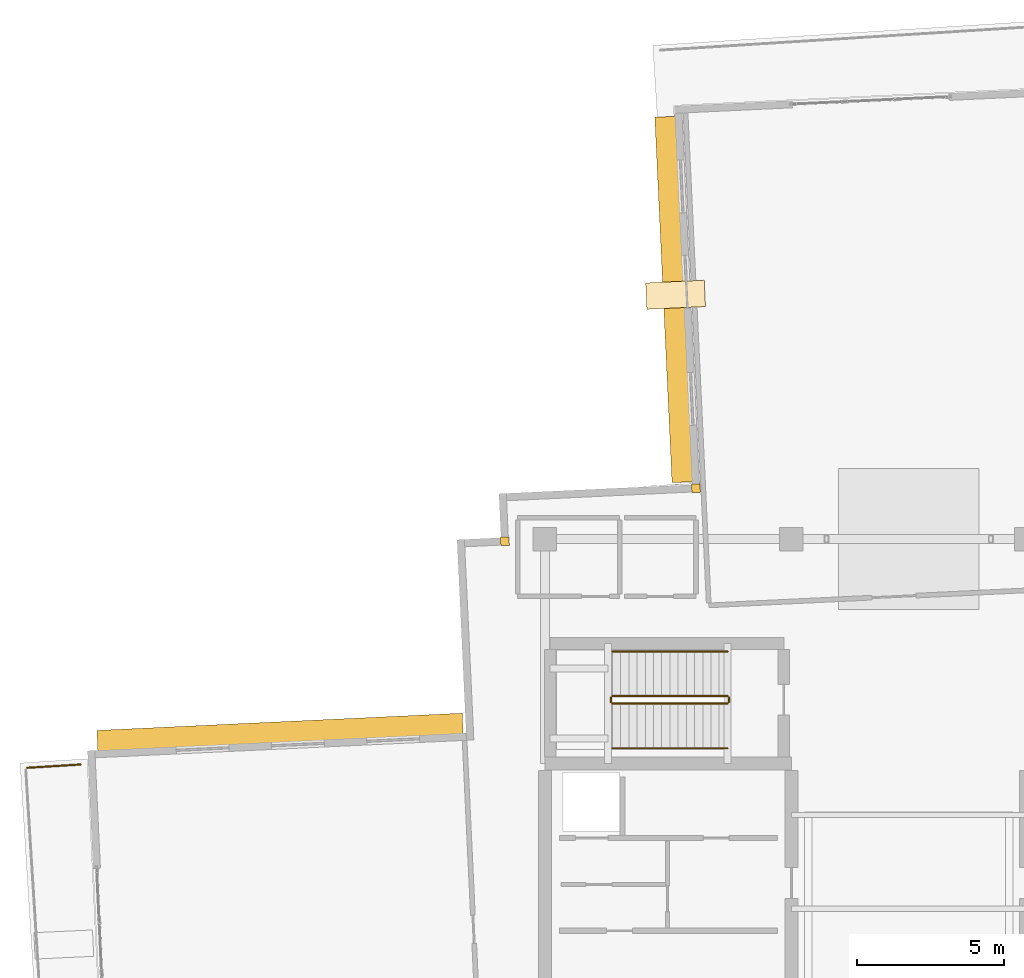
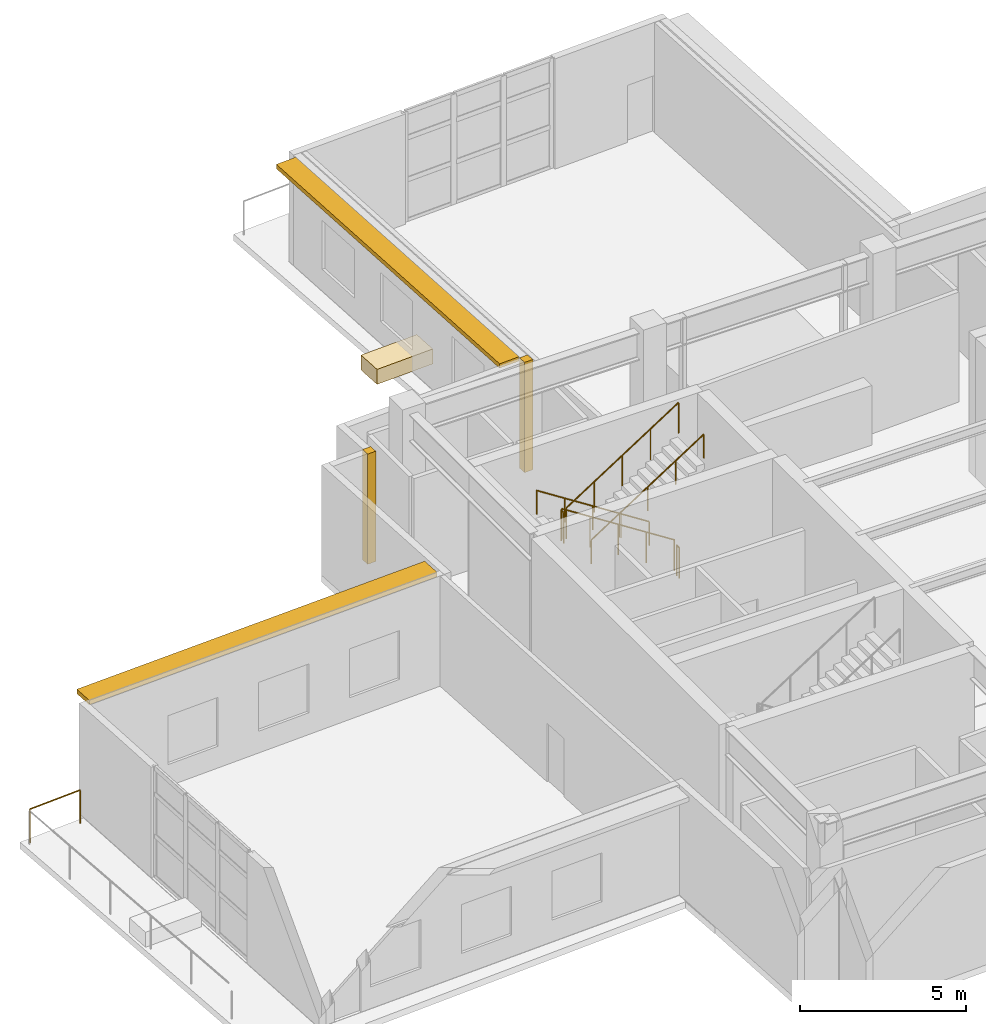
# One storey, part 20 of 22: 7 railings, 3 coverings, 2 shading devices.
"""IFC4 building model written with IfcOpenShell, lengths in metres."""

from ifc_helpers import new_model, si_unit, direction, frame, origin, origin_2d, place, context, subcontext, project, spatial, rectangle, circle, extrude, material, layer, layer_set, type_object, element, save


model = new_model("IFC4")

# Units and contexts
model_context = context("Model", 3, precision=1e-05, world=origin(), true_north=direction((0.0, 1.0)))
body_context = subcontext(model_context, "Body", "Model", "MODEL_VIEW")
ifc_project = project(units=[si_unit("LENGTHUNIT", "METRE"), si_unit("AREAUNIT", "SQUARE_METRE"), si_unit("VOLUMEUNIT", "CUBIC_METRE"), si_unit("PLANEANGLEUNIT", "RADIAN"), si_unit("MASSUNIT", "GRAM", prefix="KILO")], contexts=[model_context])

# Site, building, storey
site_placement = place(None, origin())
site = spatial("IfcSite", under=ifc_project, at=site_placement, CompositionType="ELEMENT")
building_placement = place(site_placement, origin())
building = spatial("IfcBuilding", under=site, at=building_placement, Name="Qingluan Cross Belvedere", CompositionType="ELEMENT")
storey_placement = place(building_placement, frame((0.0, 0.0, 294.0)))
storey = spatial("IfcBuildingStorey", under=building, at=storey_placement, Name="L73", CompositionType="ELEMENT", Elevation=294.0)

# Coverings
ifc_material_1 = material(Name="Precast concrete C45", Category="concrete")
ifc_layer_1 = layer(ifc_material_1, 0.1201171875, Name="ConcreteSpandrelCladding_120")
ifc_layer_set_1 = layer_set([ifc_layer_1], Name="Precast concrete C45")
covering_type_1 = type_object("IfcCoveringType", Name="ConcreteSpandrelCladding_120", PredefinedType="CLADDING", material=ifc_layer_set_1)
for number, where, z_axis, x_axis, name in (
    (1, (-13.765380859375, 12.525390625, 0.0), (0.0, 0.0, 1.0), (0.998889874962, 0.04710645071, 0.0), "Corner closure L73-NW1"),
    (2, (-7.25341796875, 14.334228515625, 0.0), (0.0, 0.0, 1.0), (0.998889874962, 0.04710645071, 0.0), "Corner closure L73-NW2"),
):
    element("IfcCovering", number, at=place(storey_placement, frame(where, z_axis=z_axis, x_axis=x_axis)), inside=storey, type_object=covering_type_1, Name=name, PredefinedType="CLADDING", context=body_context, shape_type="SweptSolid", body=[
        extrude(rectangle(XDim=0.2900390625, YDim=0.2900390625, at=origin_2d()), origin(), (0.0, 0.0, 1.0), 4.06005859375),
    ])

# Shading devices
ifc_material_2 = material(Name="Precast concrete C45", Category="concrete")
ifc_layer_2 = layer(ifc_material_2, 0.139892578125, Name="ConcreteSunshadeBand_700")
ifc_layer_set_2 = layer_set([ifc_layer_2], Name="Precast concrete C45")
shading_device_type = type_object("IfcShadingDeviceType", Name="ConcreteSunshadeBand_700", PredefinedType="USERDEFINED", material=ifc_layer_set_2)
for number, where, z_axis, x_axis, name in (
    (3, (-8.01220703125, 20.765625, 3.8798828125), (0.0, 0.0, 1.0), (0.047103529552, -0.998890012716, 0.0), "Concrete SUNSHADE L73-NB"),
    (4, (-21.427490234375, 6.022216796875, 3.8798828125), (0.0, 0.0, 1.0), (-0.998890012716, -0.047103529552, 0.0), "Concrete SUNSHADE L73-WA"),
):
    element("IfcShadingDevice", number, at=place(storey_placement, frame(where, z_axis=z_axis, x_axis=x_axis)), inside=storey, type_object=shading_device_type, Name=name, ObjectType="SUNSHADE", PredefinedType="USERDEFINED", context=body_context, shape_type="SweptSolid", body=[
        extrude(rectangle(XDim=12.469970703125, YDim=0.699951171875, at=origin_2d()), origin(), (0.0, 0.0, 1.0), 0.159912109375),
    ])

# Railings
ifc_material_3 = material(Name="Laminated safety glass and stainless steel balustrade", Category="steel")
railing_type_1 = type_object("IfcRailingType", Name="ObservationGuardBalustrade_1250", PredefinedType="BALUSTRADE", material=ifc_material_3)
railing_1_placement = place(storey_placement, frame((-30.041015625, 4.80322265625, 0.0)))
element("IfcRailing", 5, at=railing_1_placement, inside=storey, type_object=railing_type_1, Name="Terrace guard L73-2", PredefinedType="BALUSTRADE", context=body_context, shape_type="SweptSolid", body=[
    extrude(circle(Radius=0.02392578125, at=origin_2d()), frame((0.0, 0.0, 1.22607421875), z_axis=(0.998028978174, 0.062754750614, 0.0), x_axis=(-0.062754750614, 0.998028978174, 0.0)), (0.0, 0.0, 1.0), 1.81689453125),
    extrude(circle(Radius=0.02099609375, at=origin_2d()), origin(), (0.0, 0.0, 1.0), 1.201904296875),
    extrude(circle(Radius=0.02099609375, at=origin_2d()), frame((1.813232421875, 0.114013671875, 0.0)), (0.0, 0.0, 1.0), 1.201904296875),
])
ifc_material_4 = material(Name="Brushed stainless steel tubular handrail", Category="steel")
railing_type_2 = type_object("IfcRailingType", Name="StairPitchHandrail_900", PredefinedType="HANDRAIL", material=ifc_material_4)
railing_2_placement = place(storey_placement, frame((-6.179931640625, 8.77001953125, 0.179931640625)))
element("IfcRailing", 6, at=railing_2_placement, inside=storey, type_object=railing_type_2, Name="L73 ST3 stair handrail 1", PredefinedType="HANDRAIL", context=body_context, shape_type="SweptSolid", body=[
    extrude(circle(Radius=0.02392578125, at=origin_2d()), frame((0.0, 0.0, 0.8759765625), z_axis=(-0.841186985886, 0.0, 0.540744352514), x_axis=(0.0, -1.0, 0.0)), (0.0, 0.0, 1.0), 4.660400390625),
    extrude(circle(Radius=0.02099609375, at=origin_2d()), origin(), (0.0, 0.0, 1.0), 0.851806640625),
    extrude(circle(Radius=0.02099609375, at=origin_2d()), frame((-0.97998046875, 0.0, 0.6298828125)), (0.0, 0.0, 1.0), 0.851806640625),
    extrude(circle(Radius=0.02099609375, at=origin_2d()), frame((-1.9599609375, 0.0, 1.260009765625)), (0.0, 0.0, 1.0), 0.851806640625),
    extrude(circle(Radius=0.02099609375, at=origin_2d()), frame((-2.940185546875, 0.0, 1.89013671875)), (0.0, 0.0, 1.0), 0.851806640625),
    extrude(circle(Radius=0.02099609375, at=origin_2d()), frame((-3.920166015625, 0.0, 2.52001953125)), (0.0, 0.0, 1.0), 0.851806640625),
])
railing_3_placement = place(storey_placement, frame((-10.10009765625, 5.469970703125, 2.8798828125)))
element("IfcRailing", 7, at=railing_3_placement, inside=storey, type_object=railing_type_2, Name="L73 ST3 stair handrail 2", PredefinedType="HANDRAIL", context=body_context, shape_type="SweptSolid", body=[
    extrude(circle(Radius=0.02392578125, at=origin_2d()), frame((0.0, 0.0, 0.8759765625), z_axis=(0.841186985886, 0.0, 0.540744352514), x_axis=(0.0, 1.0, 0.0)), (0.0, 0.0, 1.0), 4.660400390625),
    extrude(circle(Radius=0.02099609375, at=origin_2d()), origin(), (0.0, 0.0, 1.0), 0.851806640625),
    extrude(circle(Radius=0.02099609375, at=origin_2d()), frame((0.97998046875, 0.0, 0.6298828125)), (0.0, 0.0, 1.0), 0.851806640625),
    extrude(circle(Radius=0.02099609375, at=origin_2d()), frame((1.9599609375, 0.0, 1.260009765625)), (0.0, 0.0, 1.0), 0.851806640625),
    extrude(circle(Radius=0.02099609375, at=origin_2d()), frame((2.940185546875, 0.0, 1.89013671875)), (0.0, 0.0, 1.0), 0.851806640625),
    extrude(circle(Radius=0.02099609375, at=origin_2d()), frame((3.920166015625, 0.0, 2.52001953125)), (0.0, 0.0, 1.0), 0.851806640625),
])
ifc_material_5 = material(Name="Painted steel stair well guard", Category="steel")
railing_type_3 = type_object("IfcRailingType", Name="StairWellGuard_1150", PredefinedType="BALUSTRADE", material=ifc_material_5)
railing_4_placement = place(storey_placement, frame((-6.179931640625, 7.25, 0.179931640625)))
element("IfcRailing", 8, at=railing_4_placement, inside=storey, type_object=railing_type_3, Name="L73 ST3 stair guard 1", PredefinedType="BALUSTRADE", context=body_context, shape_type="SweptSolid", body=[
    extrude(circle(Radius=0.02392578125, at=origin_2d()), frame((0.0, 0.0, 1.1259765625), z_axis=(-0.841186985886, 0.0, 0.540744352514), x_axis=(0.0, -1.0, 0.0)), (0.0, 0.0, 1.0), 4.660400390625),
    extrude(circle(Radius=0.02099609375, at=origin_2d()), origin(), (0.0, 0.0, 1.0), 1.101806640625),
    extrude(circle(Radius=0.02099609375, at=origin_2d()), frame((-0.97998046875, 0.0, 0.6298828125)), (0.0, 0.0, 1.0), 1.101806640625),
    extrude(circle(Radius=0.02099609375, at=origin_2d()), frame((-1.9599609375, 0.0, 1.260009765625)), (0.0, 0.0, 1.0), 1.101806640625),
    extrude(circle(Radius=0.02099609375, at=origin_2d()), frame((-2.940185546875, 0.0, 1.89013671875)), (0.0, 0.0, 1.0), 1.101806640625),
    extrude(circle(Radius=0.02099609375, at=origin_2d()), frame((-3.920166015625, 0.0, 2.52001953125)), (0.0, 0.0, 1.0), 1.101806640625),
])
railing_5_placement = place(storey_placement, frame((-10.14990234375, 7.199951171875, 2.699951171875)))
element("IfcRailing", 9, at=railing_5_placement, inside=storey, type_object=railing_type_3, Name="L73 ST3 stair guard 2", PredefinedType="BALUSTRADE", context=body_context, shape_type="SweptSolid", body=[
    extrude(circle(Radius=0.02392578125, at=origin_2d()), frame((0.0, 0.0, 1.1259765625), z_axis=(0.0, -1.0, 0.0), x_axis=(1.0, 0.0, 0.0)), (0.0, 0.0, 1.0), 0.159912109375),
    extrude(circle(Radius=0.02099609375, at=origin_2d()), origin(), (0.0, 0.0, 1.0), 1.101806640625),
    extrude(circle(Radius=0.02099609375, at=origin_2d()), frame((0.0, -0.159912109375, 0.0)), (0.0, 0.0, 1.0), 1.101806640625),
])
railing_6_placement = place(storey_placement, frame((-10.10009765625, 6.989990234375, 2.8798828125)))
element("IfcRailing", 10, at=railing_6_placement, inside=storey, type_object=railing_type_3, Name="L73 ST3 stair guard 3", PredefinedType="BALUSTRADE", context=body_context, shape_type="SweptSolid", body=[
    extrude(circle(Radius=0.02392578125, at=origin_2d()), frame((0.0, 0.0, 1.1259765625), z_axis=(0.841186985886, 0.0, 0.540744352514), x_axis=(0.0, 1.0, 0.0)), (0.0, 0.0, 1.0), 4.660400390625),
    extrude(circle(Radius=0.02099609375, at=origin_2d()), origin(), (0.0, 0.0, 1.0), 1.101806640625),
    extrude(circle(Radius=0.02099609375, at=origin_2d()), frame((0.97998046875, 0.0, 0.6298828125)), (0.0, 0.0, 1.0), 1.101806640625),
    extrude(circle(Radius=0.02099609375, at=origin_2d()), frame((1.9599609375, 0.0, 1.260009765625)), (0.0, 0.0, 1.0), 1.101806640625),
    extrude(circle(Radius=0.02099609375, at=origin_2d()), frame((2.940185546875, 0.0, 1.89013671875)), (0.0, 0.0, 1.0), 1.101806640625),
    extrude(circle(Radius=0.02099609375, at=origin_2d()), frame((3.920166015625, 0.0, 2.52001953125)), (0.0, 0.0, 1.0), 1.101806640625),
])
railing_7_placement = place(storey_placement, frame((-6.1298828125, 7.199951171875, 0.0)))
element("IfcRailing", 11, at=railing_7_placement, inside=storey, type_object=railing_type_3, Name="L73 ST3 stair guard 4", PredefinedType="BALUSTRADE", context=body_context, shape_type="SweptSolid", body=[
    extrude(circle(Radius=0.02392578125, at=origin_2d()), frame((0.0, 0.0, 1.1259765625), z_axis=(0.0, -1.0, 0.0), x_axis=(1.0, 0.0, 0.0)), (0.0, 0.0, 1.0), 0.159912109375),
    extrude(circle(Radius=0.02099609375, at=origin_2d()), origin(), (0.0, 0.0, 1.0), 1.101806640625),
    extrude(circle(Radius=0.02099609375, at=origin_2d()), frame((0.0, -0.159912109375, 0.0)), (0.0, 0.0, 1.0), 1.101806640625),
])

# Covering
ifc_material_6 = material(Name="Precast concrete C40", Category="concrete")
ifc_layer_3 = layer(ifc_material_6, 0.550048828125, Name="TerracePlanterBox")
ifc_layer_set_3 = layer_set([ifc_layer_3], Name="Precast concrete C40")
covering_type_2 = type_object("IfcCoveringType", Name="TerracePlanterBox", PredefinedType="USERDEFINED", material=ifc_layer_set_3)
covering_placement = place(storey_placement, frame((-7.947998046875, 20.927001953125, 0.0), z_axis=(0.0, 0.0, 1.0), x_axis=(0.998889874962, 0.04710645071, 0.0)))
element("IfcCovering", 12, at=covering_placement, inside=storey, type_object=covering_type_2, Name="Terrace garden planter L73-1", ObjectType="PLANTER", PredefinedType="USERDEFINED", context=body_context, shape_type="SweptSolid", body=[
    extrude(rectangle(XDim=2.0, YDim=0.89990234375, at=origin_2d()), origin(), (0.0, 0.0, 1.0), 0.550048828125),
])

save(model, "model.ifc")
